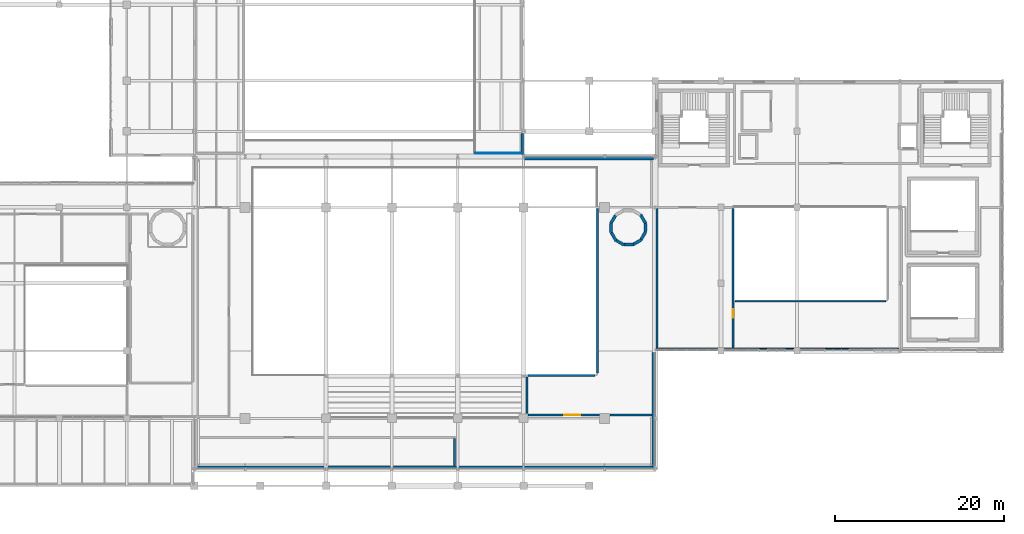
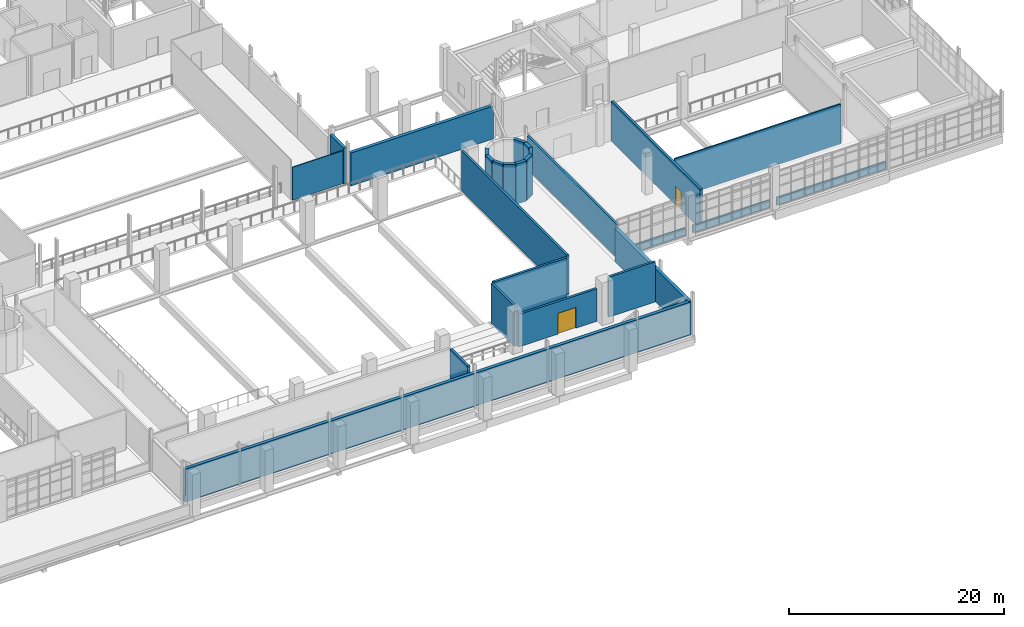
# One storey, part 92 of 102: 26 walls, 2 doors, 2 openings.
"""IFC4 building model written with IfcOpenShell, lengths in metres."""

from ifc_helpers import new_model, si_unit, derived_unit, direction, frame, frame_2d, origin, place, context, subcontext, project, spatial, rectangle, extrude, material, layer, layer_set, type_object, element, fill, save


model = new_model("IFC4")

# Units and contexts
model_context = context("Model", 3, precision=1e-05, world=origin(), true_north=direction((0.0, 1.0)))
body_context = subcontext(model_context, "Body", "Model", "MODEL_VIEW")
ifc_project = project(units=[si_unit("LENGTHUNIT", "METRE"), si_unit("AREAUNIT", "SQUARE_METRE"), si_unit("VOLUMEUNIT", "CUBIC_METRE"), si_unit("PLANEANGLEUNIT", "RADIAN"), si_unit("MASSUNIT", "GRAM", prefix="KILO"), derived_unit("THERMALTRANSMITTANCEUNIT", [(si_unit("POWERUNIT", "WATT"), 1), (si_unit("LENGTHUNIT", "METRE"), -2), (si_unit("THERMODYNAMICTEMPERATUREUNIT", "KELVIN"), -1)])], contexts=[model_context])

# Site, building, storey
site_placement = place(None, origin())
site = spatial("IfcSite", under=ifc_project, at=site_placement, CompositionType="ELEMENT")
building_placement = place(site_placement, origin())
building = spatial("IfcBuilding", under=site, at=building_placement, Name="Nallur Shell Playhouse", CompositionType="ELEMENT")
storey_placement = place(building_placement, frame((0.0, 0.0, 15.0)))
storey = spatial("IfcBuildingStorey", under=building, at=storey_placement, Name="L04", CompositionType="ELEMENT", Elevation=15.0)

# Walls
ifc_material_1 = material(Name="Concrete M45", Category="concrete")
ifc_layer_1 = layer(ifc_material_1, 0.39990234375)
ifc_layer_set_1 = layer_set([ifc_layer_1], Name="Concrete M45")
wall_type_1 = type_object("IfcWallType", Name="WL-CORE-400", PredefinedType="SHEAR", material=ifc_layer_set_1)
wall_1_placement = place(storey_placement, frame((117.46142578125, 39.08642578125, 0.0), z_axis=(0.0, 0.0, 1.0), x_axis=(-0.500080723117, 0.865978793255, 0.0)))
element("IfcWall", 1, at=wall_1_placement, inside=storey, type_object=wall_type_1, Name="Metabolist service drum DR-2 facet 1 (L04)", PredefinedType="SHEAR", context=body_context, shape_type="SweptSolid", body=[
    extrude(rectangle(XDim=1.218994140625, YDim=0.35009765625, at=frame_2d((0.609375, 0.0))), origin(), (0.0, 0.0, 1.0), 4.550048828125),
])
for number, where, z_axis, x_axis, name in (
    (2, (113.885009765625, 40.032958984375, 0.0), (0.0, 0.0, 1.0), (-0.499935162227, -0.866062834654, 0.0), "Metabolist service drum DR-2 facet 5 (L04)"),
    (3, (113.37158203125, 39.08349609375, 0.0), (0.0, 0.0, 1.0), (0.0, -1.0, 0.0), "Metabolist service drum DR-2 facet 6 (L04)"),
    (4, (113.401611328125, 38.00439453125, 0.0), (0.0, 0.0, 1.0), (0.499935162227, -0.866062834654, 0.0), "Metabolist service drum DR-2 facet 7 (L04)"),
    (5, (113.967041015625, 37.085205078125, 0.0), (0.0, 0.0, 1.0), (0.865966109163, -0.500102687236, 0.0), "Metabolist service drum DR-2 facet 8 (L04)"),
    (6, (114.91650390625, 36.571533203125, 0.0), (0.0, 0.0, 1.0), (1.0, 0.0, 0.0), "Metabolist service drum DR-2 facet 9 (L04)"),
    (7, (115.99560546875, 36.6015625, 0.0), (0.0, 0.0, 1.0), (0.865966109163, 0.500102687236, 0.0), "Metabolist service drum DR-2 facet 10 (L04)"),
    (8, (116.914794921875, 37.1669921875, 0.0), (0.0, 0.0, 1.0), (0.500102687236, 0.865966109163, 0.0), "Metabolist service drum DR-2 facet 11 (L04)"),
):
    element("IfcWall", number, at=place(storey_placement, frame(where, z_axis=z_axis, x_axis=x_axis)), inside=storey, type_object=wall_type_1, Name=name, PredefinedType="SHEAR", context=body_context, shape_type="SweptSolid", body=[
        extrude(rectangle(XDim=1.093017578125, YDim=0.35009765625, at=frame_2d((0.54638671875, 0.0))), origin(), (0.0, 0.0, 1.0), 4.550048828125),
    ])
wall_2_placement = place(storey_placement, frame((117.428466796875, 38.116455078125, 0.0), z_axis=(0.0, 0.0, 1.0), x_axis=(0.0, 1.0, 0.0)))
element("IfcWall", 9, at=wall_2_placement, inside=storey, type_object=wall_type_1, Name="Metabolist service drum DR-2 facet 12 (L04)", PredefinedType="SHEAR", context=body_context, shape_type="SweptSolid", body=[
    extrude(rectangle(XDim=0.967041015625, YDim=0.35009765625, at=frame_2d((0.4833984375, 0.0))), origin(), (0.0, 0.0, 1.0), 4.550048828125),
])
ifc_material_2 = material(Name="Concrete M35", Category="concrete")
ifc_layer_2 = layer(ifc_material_2, 0.35009765625)
ifc_layer_set_2 = layer_set([ifc_layer_2], Name="Concrete M35")
wall_type_2 = type_object("IfcWallType", Name="WL-EXT-AC350", PredefinedType="STANDARD", material=ifc_layer_set_2)
wall_3_placement = place(storey_placement, frame((103.12890625, 46.804931640625, 0.0), z_axis=(0.0, 0.0, 1.0), x_axis=(1.0, 0.0, 0.0)))
element("IfcWall", 10, at=wall_3_placement, inside=storey, type_object=wall_type_2, Name="L04 exterior wall EW-L04-183", PredefinedType="STANDARD", context=body_context, shape_type="SweptSolid", body=[
    extrude(rectangle(XDim=15.2861328125, YDim=0.35009765625, at=frame_2d((7.64306640625, 0.0))), origin(), (0.0, 0.0, 1.0), 3.735107421875),
])
wall_4_placement = place(storey_placement, frame((118.405029296875, 23.81494140625, 0.0), z_axis=(0.0, 0.0, 1.0), x_axis=(0.0, -1.0, 0.0)))
element("IfcWall", 11, at=wall_4_placement, inside=storey, type_object=wall_type_2, Name="L04 exterior wall EW-L04-190", PredefinedType="STANDARD", context=body_context, shape_type="SweptSolid", body=[
    extrude(rectangle(XDim=13.6298828125, YDim=0.35009765625, at=frame_2d((6.81494140625, 0.0))), origin(), (0.0, 0.0, 1.0), 3.735107421875),
])
wall_5_placement = place(storey_placement, frame((118.4150390625, 10.195068359375, 0.0), z_axis=(0.0, 0.0, 1.0), x_axis=(-1.0, 0.0, 0.0)))
element("IfcWall", 12, at=wall_5_placement, inside=storey, type_object=wall_type_2, Name="L04 exterior wall EW-L04-191", PredefinedType="STANDARD", context=body_context, shape_type="SweptSolid", body=[
    extrude(rectangle(XDim=54.22998046875, YDim=0.35009765625, at=frame_2d((27.114990234375, 0.0))), origin(), (0.0, 0.0, 1.0), 3.735107421875),
])
ifc_layer_3 = layer(ifc_material_2, 0.300048828125)
ifc_layer_set_3 = layer_set([ifc_layer_3], Name="Concrete M35")
wall_type_3 = type_object("IfcWallType", Name="WL-EXT-RC300", PredefinedType="STANDARD", material=ifc_layer_set_3)
wall_6_placement = place(storey_placement, frame((102.830078125, 49.76708984375, 0.0), z_axis=(0.0, 0.0, 1.0), x_axis=(0.0, -1.0, 0.0)))
element("IfcWall", 13, at=wall_6_placement, inside=storey, type_object=wall_type_3, Name="L04 exterior wall EW-L04-182", PredefinedType="STANDARD", context=body_context, shape_type="SweptSolid", body=[
    extrude(rectangle(XDim=2.5341796875, YDim=0.300048828125, at=frame_2d((1.26708984375, 0.0))), origin(), (0.0, 0.0, 1.0), 4.0849609375),
])
ifc_layer_4 = layer(ifc_material_2, 0.179931640625)
ifc_layer_set_4 = layer_set([ifc_layer_4], Name="Concrete M35")
wall_type_4 = type_object("IfcWallType", Name="WL-PARAPET-180", PredefinedType="PARAPET", material=ifc_layer_set_4)
wall_7_placement = place(storey_placement, frame((147.465087890625, 24.239990234375, 0.0), z_axis=(0.0, 0.0, 1.0), x_axis=(-1.0, 0.0, 0.0)))
element("IfcWall", 14, at=wall_7_placement, inside=storey, type_object=wall_type_4, Name="L04 curtain-wall internal spandrel upstand 050", PredefinedType="PARAPET", context=body_context, shape_type="SweptSolid", body=[
    extrude(rectangle(XDim=11.68017578125, YDim=0.179931640625, at=frame_2d((5.840087890625, 0.0))), origin(), (0.0, 0.0, 1.0), 0.8798828125),
])
wall_8_placement = place(storey_placement, frame((135.014892578125, 24.239990234375, 0.0), z_axis=(0.0, 0.0, 1.0), x_axis=(-1.0, 0.0, 0.0)))
element("IfcWall", 15, at=wall_8_placement, inside=storey, type_object=wall_type_4, Name="L04 curtain-wall internal spandrel upstand 051", PredefinedType="PARAPET", context=body_context, shape_type="SweptSolid", body=[
    extrude(rectangle(XDim=8.22998046875, YDim=0.179931640625, at=frame_2d((4.114990234375, 0.0))), origin(), (0.0, 0.0, 1.0), 0.8798828125),
])
wall_9_placement = place(storey_placement, frame((126.014892578125, 24.239990234375, 0.0), z_axis=(0.0, 0.0, 1.0), x_axis=(-1.0, 0.0, 0.0)))
element("IfcWall", 16, at=wall_9_placement, inside=storey, type_object=wall_type_4, Name="L04 curtain-wall internal spandrel upstand 052", PredefinedType="PARAPET", context=body_context, shape_type="SweptSolid", body=[
    extrude(rectangle(XDim=7.294921875, YDim=0.179931640625, at=frame_2d((3.6474609375, 0.0))), origin(), (0.0, 0.0, 1.0), 0.8798828125),
])
ifc_material_3 = material(Name="Concrete M30", Category="concrete")
ifc_layer_5 = layer(ifc_material_3, 0.25)
ifc_layer_set_5 = layer_set([ifc_layer_5], Name="Concrete M30")
wall_type_5 = type_object("IfcWallType", Name="WL-PART-AC250", PredefinedType="PARTITIONING", material=ifc_layer_set_5)
wall_10_placement = place(storey_placement, frame((118.22607421875, 16.39990234375, 0.0), z_axis=(0.0, 0.0, 1.0), x_axis=(-1.0, 0.0, 0.0)))
element("IfcWall", 17, at=wall_10_placement, inside=storey, type_object=wall_type_5, Name="Main Theatre Upper Circle Auditorium Tier partition IW-L04-0279", PredefinedType="PARTITIONING", context=body_context, shape_type="SweptSolid", body=[
    extrude(rectangle(XDim=5.010986328125, YDim=0.25, at=frame_2d((2.50537109375, 0.0))), origin(), (0.0, 0.0, 1.0), 4.5400390625),
])

# Wall, opening, door
wall_11_placement = place(storey_placement, frame((111.985107421875, 16.39990234375, 0.0), z_axis=(0.0, 0.0, 1.0), x_axis=(-1.0, 0.0, 0.0)))
wall_11 = element("IfcWall", 18, at=wall_11_placement, inside=storey, type_object=wall_type_5, Name="Main Theatre Upper Circle Auditorium Tier partition IW-L04-0280", PredefinedType="PARTITIONING", context=body_context, shape_type="SweptSolid", body=[
    extrude(rectangle(XDim=8.440185546875, YDim=0.25, at=frame_2d((4.22021484375, 0.0))), origin(), (0.0, 0.0, 1.0), 3.679931640625),
])
opening_1_placement = place(wall_11_placement, frame((2.2890625, 0.0, 0.0)))
opening_1 = element("IfcOpeningElement", 19, at=opening_1_placement, cuts=wall_11, Name="Opening AD-02", PredefinedType="OPENING", context=body_context, shape_type="SweptSolid", body=[
    extrude(rectangle(XDim=1.89990234375, YDim=2.35009765625, at=frame_2d((0.949951171875, 1.175048828125))), frame((0.0, 0.135009765625, 0.0), z_axis=(0.0, -1.0, 0.0), x_axis=(1.0, 0.0, 0.0)), (0.0, 0.0, 1.0), 0.27001953125),
])
ifc_material_4 = material(Name="Acoustic Timber Sound-Lock Double Door", Category="wood")
door_type_1 = type_object("IfcDoorType", Name="DR-INT-AUD-DBR", OperationType="DOUBLE_SWING_RIGHT", PredefinedType="DOOR", material=ifc_material_4)
door_1_placement = place(opening_1_placement, origin())
door_1 = element("IfcDoor", 20, at=door_1_placement, inside=storey, type_object=door_type_1, Name="Main Theatre Upper Circle Auditorium Tier vomitory door 1", OperationType="DOUBLE_SWING_RIGHT", OverallHeight=2.35009765625, OverallWidth=1.89990234375, PredefinedType="DOOR", context=body_context, shape_type="SweptSolid", body=[
    extrude(rectangle(XDim=1.89990234375, YDim=2.35009765625, at=frame_2d((0.949951171875, 1.175048828125))), frame((0.0, 0.02490234375, 0.0), z_axis=(0.0, -1.0, 0.0), x_axis=(1.0, 0.0, 0.0)), (0.0, 0.0, 1.0), 0.050048828125),
])
fill(opening_1, door_1)

# Walls
wall_12_placement = place(storey_placement, frame((103.39990234375, 16.544921875, 0.0), z_axis=(0.0, 0.0, 1.0), x_axis=(0.0, 1.0, 0.0)))
element("IfcWall", 21, at=wall_12_placement, inside=storey, type_object=wall_type_5, Name="Main Theatre Upper Circle Auditorium Tier partition IW-L04-0281", PredefinedType="PARTITIONING", context=body_context, shape_type="SweptSolid", body=[
    extrude(rectangle(XDim=4.3701171875, YDim=0.25, at=frame_2d((2.18505859375, 0.0))), origin(), (0.0, 0.0, 1.0), 4.5400390625),
])
wall_13_placement = place(storey_placement, frame((103.544921875, 21.06005859375, 0.0), z_axis=(0.0, 0.0, 1.0), x_axis=(1.0, 0.0, 0.0)))
element("IfcWall", 22, at=wall_13_placement, inside=storey, type_object=wall_type_5, Name="Main Theatre Upper Circle Auditorium Tier partition IW-L04-0282", PredefinedType="PARTITIONING", context=body_context, shape_type="SweptSolid", body=[
    extrude(rectangle(XDim=7.91015625, YDim=0.25, at=frame_2d((3.955078125, 0.0))), origin(), (0.0, 0.0, 1.0), 4.5400390625),
])
wall_14_placement = place(storey_placement, frame((111.739990234375, 21.344970703125, 0.0), z_axis=(0.0, 0.0, 1.0), x_axis=(0.0, 1.0, 0.0)))
element("IfcWall", 23, at=wall_14_placement, inside=storey, type_object=wall_type_5, Name="Main Theatre Upper Circle Auditorium Tier partition IW-L04-0283", PredefinedType="PARTITIONING", context=body_context, shape_type="SweptSolid", body=[
    extrude(rectangle(XDim=19.510009765625, YDim=0.25, at=frame_2d((9.7548828125, 0.0))), origin(), (0.0, 0.0, 1.0), 4.5400390625),
])
wall_15_placement = place(storey_placement, frame((94.800048828125, 13.60498046875, 0.0), z_axis=(0.0, 0.0, 1.0), x_axis=(0.0, -1.0, 0.0)))
element("IfcWall", 24, at=wall_15_placement, inside=storey, type_object=wall_type_5, Name="Main Theatre Sound, Lighting & Projection Booths partition IW-L04-0284", PredefinedType="PARTITIONING", context=body_context, shape_type="SweptSolid", body=[
    extrude(rectangle(XDim=3.23095703125, YDim=0.25, at=frame_2d((1.615478515625, 0.0))), origin(), (0.0, 0.0, 1.0), 4.5400390625),
])

# Wall, opening, door
wall_16_placement = place(storey_placement, frame((127.800048828125, 40.85498046875, 0.0), z_axis=(0.0, 0.0, 1.0), x_axis=(0.0, -1.0, 0.0)))
wall_16 = element("IfcWall", 25, at=wall_16_placement, inside=storey, type_object=wall_type_5, Name="Studio Lighting & Acoustic Rigging Gallery partition IW-L04-0307", PredefinedType="PARTITIONING", context=body_context, shape_type="SweptSolid", body=[
    extrude(rectangle(XDim=16.52099609375, YDim=0.25, at=frame_2d((8.260498046875, 0.0))), origin(), (0.0, 0.0, 1.0), 4.530029296875),
])
opening_2_placement = place(wall_16_placement, frame((11.903076171875, 0.0, 0.0)))
opening_2 = element("IfcOpeningElement", 26, at=opening_2_placement, cuts=wall_16, Name="Opening ID-01", PredefinedType="OPENING", context=body_context, shape_type="SweptSolid", body=[
    extrude(rectangle(XDim=1.050048828125, YDim=2.14990234375, at=frame_2d((0.52490234375, 1.074951171875))), frame((0.0, 0.135009765625, 0.0), z_axis=(0.0, -1.0, 0.0), x_axis=(1.0, 0.0, 0.0)), (0.0, 0.0, 1.0), 0.27001953125),
])
ifc_material_5 = material(Name="Solid-Core Engineered Timber Fire Door", Category="wood")
door_type_2 = type_object("IfcDoorType", Name="DR-INT-SGL1050L", OperationType="SINGLE_SWING_LEFT", PredefinedType="DOOR", material=ifc_material_5)
door_2_placement = place(opening_2_placement, origin())
door_2 = element("IfcDoor", 27, at=door_2_placement, inside=storey, type_object=door_type_2, Name="Studio Theatre Costume & Scenic Prop Workshop door 1", OperationType="SINGLE_SWING_LEFT", OverallHeight=2.14990234375, OverallWidth=1.050048828125, PredefinedType="DOOR", context=body_context, shape_type="SweptSolid", body=[
    extrude(rectangle(XDim=1.050048828125, YDim=2.14990234375, at=frame_2d((0.52490234375, 1.074951171875))), frame((0.0, 0.02490234375, 0.0), z_axis=(0.0, -1.0, 0.0), x_axis=(1.0, 0.0, 0.0)), (0.0, 0.0, 1.0), 0.050048828125),
])
fill(opening_2, door_2)

# Walls
wall_17_placement = place(storey_placement, frame((118.800048828125, 24.333984375, 0.0), z_axis=(0.0, 0.0, 1.0), x_axis=(0.0, 1.0, 0.0)))
element("IfcWall", 28, at=wall_17_placement, inside=storey, type_object=wall_type_5, Name="Studio Lighting & Acoustic Rigging Gallery partition IW-L04-0308", PredefinedType="PARTITIONING", context=body_context, shape_type="SweptSolid", body=[
    extrude(rectangle(XDim=16.52099609375, YDim=0.25, at=frame_2d((8.260498046875, 0.0))), origin(), (0.0, 0.0, 1.0), 3.72998046875),
])
ifc_material_6 = material(Name="Double-Layer Fire-Rated Gypsum Stud Partition")
ifc_layer_6 = layer(ifc_material_6, 0.10009765625)
ifc_layer_set_6 = layer_set([ifc_layer_6], Name="Double-Layer Fire-Rated Gypsum Stud Partition")
wall_type_6 = type_object("IfcWallType", Name="WL-PART-DRY100", PredefinedType="PARTITIONING", material=ifc_layer_set_6)
wall_18_placement = place(storey_placement, frame((102.676025390625, 47.39990234375, 0.0), z_axis=(0.0, 0.0, 1.0), x_axis=(-1.0, 0.0, 0.0)))
element("IfcWall", 29, at=wall_18_placement, inside=storey, type_object=wall_type_6, Name="Stage East Upper Rigging & Dimmer Gallery partition IW-L04-0325", PredefinedType="PARTITIONING", context=body_context, shape_type="SweptSolid", body=[
    extrude(rectangle(XDim=5.406005859375, YDim=0.10009765625, at=frame_2d((2.703125, 0.0))), origin(), (0.0, 0.0, 1.0), 3.72998046875),
])
ifc_material_7 = material(Name="Concrete M25 Fire Blockwork", Category="masonry")
ifc_layer_7 = layer(ifc_material_7, 0.14990234375)
ifc_layer_set_7 = layer_set([ifc_layer_7], Name="Concrete M25 Fire Blockwork")
wall_type_7 = type_object("IfcWallType", Name="WL-PART-FR150", PredefinedType="PARTITIONING", material=ifc_layer_set_7)
wall_19_placement = place(storey_placement, frame((128.094970703125, 29.8798828125, 0.0), z_axis=(0.0, 0.0, 1.0), x_axis=(1.0, 0.0, 0.0)))
element("IfcWall", 30, at=wall_19_placement, inside=storey, type_object=wall_type_7, Name="Studio Theatre Costume & Scenic Prop Workshop partition IW-L04-0337", PredefinedType="PARTITIONING", context=body_context, shape_type="SweptSolid", body=[
    extrude(rectangle(XDim=17.81005859375, YDim=0.14990234375, at=frame_2d((8.905029296875, 0.0))), origin(), (0.0, 0.0, 1.0), 4.530029296875),
])

save(model, "model.ifc")
